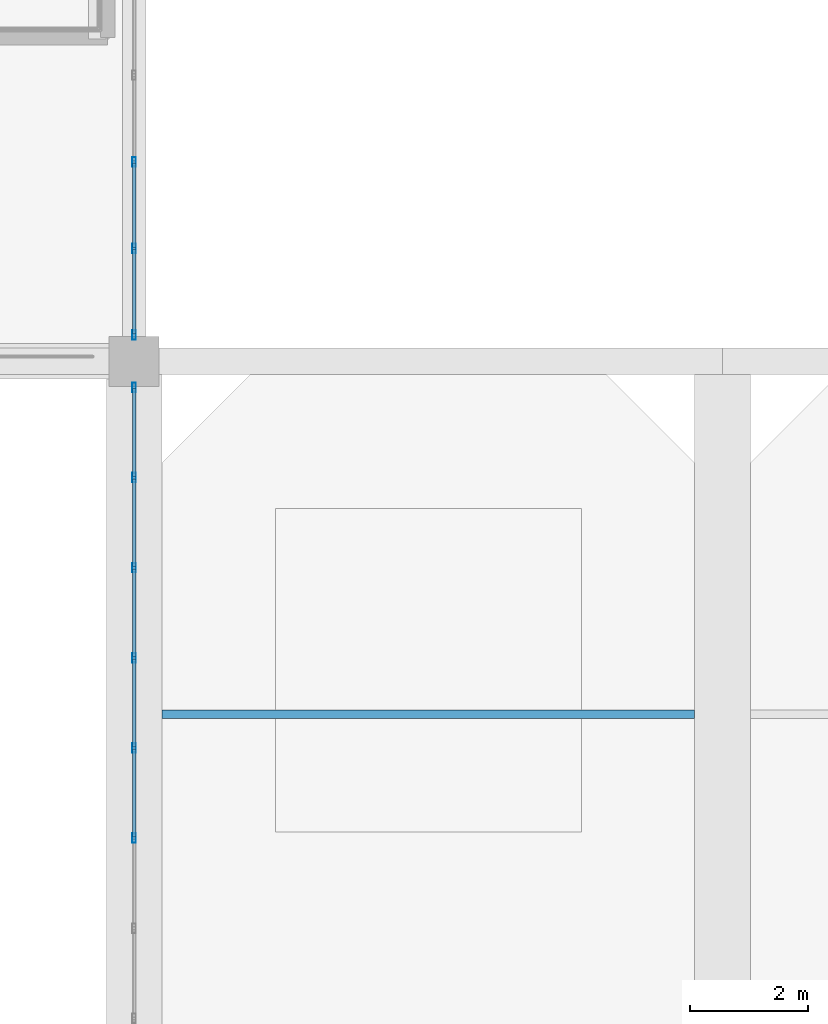
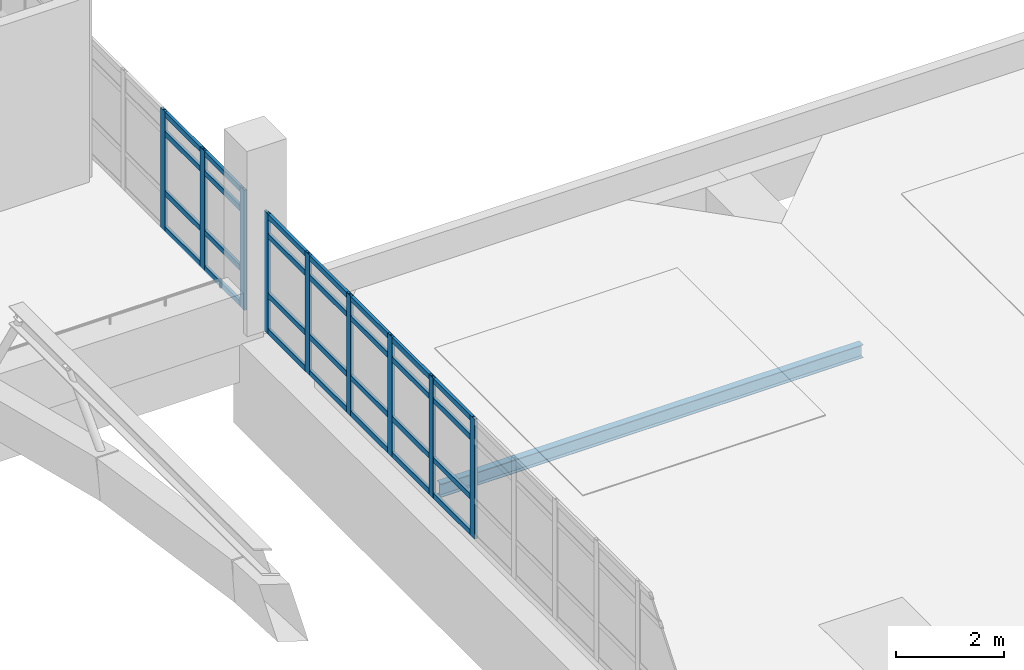
# One storey, part 57 of 161: 37 members, 1 beam, 2 elements without a shape of their own.
"""IFC4 building model written with IfcOpenShell, lengths in metres."""

from ifc_helpers import new_model, si_unit, direction, frame, origin, origin_2d, place, context, subcontext, project, spatial, hollow_rectangle, i_section, extrude, material, layer, layer_set, material_profile, profile_set, type_object, element, aggregate, save


model = new_model("IFC4")

# Units and contexts
model_context = context("Model", 3, precision=1e-05, world=origin(), true_north=direction((0.0, 1.0)))
body_context = subcontext(model_context, "Body", "Model", "MODEL_VIEW")
ifc_project = project(units=[si_unit("LENGTHUNIT", "METRE"), si_unit("AREAUNIT", "SQUARE_METRE"), si_unit("VOLUMEUNIT", "CUBIC_METRE"), si_unit("PLANEANGLEUNIT", "RADIAN"), si_unit("MASSUNIT", "GRAM", prefix="KILO")], contexts=[model_context])

# Site, building, storey
site_placement = place(None, origin())
site = spatial("IfcSite", under=ifc_project, at=site_placement, CompositionType="ELEMENT")
building_placement = place(site_placement, origin())
building = spatial("IfcBuilding", under=site, at=building_placement, Name="Mersad Railyard Sports Hall", CompositionType="ELEMENT")
storey_placement = place(building_placement, frame((0.0, 0.0, 4.800048828125)))
storey = spatial("IfcBuildingStorey", under=building, at=storey_placement, Name="L01", CompositionType="ELEMENT", Elevation=4.800048828125)

# Curtain wall, members
ifc_material_1 = material(Name="Aluminium 6063-T6", Category="aluminium")
ifc_layer_1 = layer(ifc_material_1, 0.159912109375)
ifc_layer_set_1 = layer_set([ifc_layer_1], Name="Aluminium 6063-T6")
curtain_wall_type_1 = type_object("IfcCurtainWallType", Name="ARC-CW-CW05", PredefinedType="USERDEFINED", material=ifc_layer_set_1)
curtain_wall_1_placement = place(storey_placement, origin())
curtain_wall_1 = element("IfcCurtainWall", 1, at=curtain_wall_1_placement, inside=storey, type_object=curtain_wall_type_1, Name="Curtain wall CW05-0027", ObjectType="CURTAIN WALL", PredefinedType="USERDEFINED")
ifc_material_profile_1 = material_profile(ifc_material_1, hollow_rectangle(XDim=0.06005859375, YDim=0.159912109375, WallThickness=0.00390625, at=origin_2d()), Name="AL MULLION 60x160x4")
ifc_profile_set_1 = profile_set([ifc_material_profile_1], Name="Aluminium 6063-T6")
member_type_1 = type_object("IfcMemberType", Name="ARC-CW-MUL01", PredefinedType="MULLION", material=ifc_profile_set_1)
member_1_placement = place(storey_placement, frame((91.0, 43.054931640625, -0.02001953125), z_axis=(0.0, 0.0, 1.0), x_axis=(1.0, 0.0, 0.0)))
member_1 = element("IfcMember", 2, at=member_1_placement, type_object=member_type_1, Name="CW05 Mullion 1", PredefinedType="MULLION", context=body_context, shape_type="SweptSolid", body=[
    extrude(hollow_rectangle(XDim=0.06005859375, YDim=0.159912109375, WallThickness=0.00390625, at=origin_2d()), origin(), (0.0, 0.0, 1.0), 2.719970703125),
])
member_2_placement = place(storey_placement, frame((91.0, 41.52294921875, -0.02001953125), z_axis=(0.0, 0.0, 1.0), x_axis=(1.0, 0.0, 0.0)))
member_2 = element("IfcMember", 3, at=member_2_placement, type_object=member_type_1, Name="CW05 Mullion 2", PredefinedType="MULLION", context=body_context, shape_type="SweptSolid", body=[
    extrude(hollow_rectangle(XDim=0.06005859375, YDim=0.159912109375, WallThickness=0.00390625, at=origin_2d()), origin(), (0.0, 0.0, 1.0), 2.719970703125),
])
member_3_placement = place(storey_placement, frame((91.0, 39.99072265625, -0.02001953125), z_axis=(0.0, 0.0, 1.0), x_axis=(1.0, 0.0, 0.0)))
member_3 = element("IfcMember", 4, at=member_3_placement, type_object=member_type_1, Name="CW05 Mullion 3", PredefinedType="MULLION", context=body_context, shape_type="SweptSolid", body=[
    extrude(hollow_rectangle(XDim=0.06005859375, YDim=0.159912109375, WallThickness=0.00390625, at=origin_2d()), origin(), (0.0, 0.0, 1.0), 2.719970703125),
])
member_4_placement = place(storey_placement, frame((91.0, 38.458740234375, -0.02001953125), z_axis=(0.0, 0.0, 1.0), x_axis=(1.0, 0.0, 0.0)))
member_4 = element("IfcMember", 5, at=member_4_placement, type_object=member_type_1, Name="CW05 Mullion 4", PredefinedType="MULLION", context=body_context, shape_type="SweptSolid", body=[
    extrude(hollow_rectangle(XDim=0.06005859375, YDim=0.159912109375, WallThickness=0.00390625, at=origin_2d()), origin(), (0.0, 0.0, 1.0), 2.719970703125),
])
member_5_placement = place(storey_placement, frame((91.0, 36.926513671875, -0.02001953125), z_axis=(0.0, 0.0, 1.0), x_axis=(1.0, 0.0, 0.0)))
member_5 = element("IfcMember", 6, at=member_5_placement, type_object=member_type_1, Name="CW05 Mullion 5", PredefinedType="MULLION", context=body_context, shape_type="SweptSolid", body=[
    extrude(hollow_rectangle(XDim=0.06005859375, YDim=0.159912109375, WallThickness=0.00390625, at=origin_2d()), origin(), (0.0, 0.0, 1.0), 2.719970703125),
])
member_6_placement = place(storey_placement, frame((91.0, 35.39453125, -0.02001953125), z_axis=(0.0, 0.0, 1.0), x_axis=(1.0, 0.0, 0.0)))
member_6 = element("IfcMember", 7, at=member_6_placement, type_object=member_type_1, Name="CW05 Mullion 6", PredefinedType="MULLION", context=body_context, shape_type="SweptSolid", body=[
    extrude(hollow_rectangle(XDim=0.06005859375, YDim=0.159912109375, WallThickness=0.00390625, at=origin_2d()), origin(), (0.0, 0.0, 1.0), 2.719970703125),
])

ifc_layer_2 = layer(ifc_material_1, 0.159912109375)
ifc_layer_set_2 = layer_set([ifc_layer_2], Name="Aluminium 6063-T6")
curtain_wall_type_2 = type_object("IfcCurtainWallType", Name="ARC-CW-CW03", PredefinedType="USERDEFINED", material=ifc_layer_set_2)
curtain_wall_2_placement = place(storey_placement, origin())
curtain_wall_2 = element("IfcCurtainWall", 8, at=curtain_wall_2_placement, inside=storey, type_object=curtain_wall_type_2, Name="Curtain wall CW03-0028", ObjectType="CURTAIN WALL", PredefinedType="USERDEFINED")
member_7_placement = place(storey_placement, frame((91.0, 46.889892578125, -0.02001953125), z_axis=(0.0, 0.0, 1.0), x_axis=(1.0, 0.0, 0.0)))
member_7 = element("IfcMember", 9, at=member_7_placement, type_object=member_type_1, Name="CW03 Mullion 5", PredefinedType="MULLION", context=body_context, shape_type="SweptSolid", body=[
    extrude(hollow_rectangle(XDim=0.06005859375, YDim=0.159912109375, WallThickness=0.00390625, at=origin_2d()), origin(), (0.0, 0.0, 1.0), 2.719970703125),
])
member_8_placement = place(storey_placement, frame((91.0, 45.41748046875, -0.02001953125), z_axis=(0.0, 0.0, 1.0), x_axis=(1.0, 0.0, 0.0)))
member_8 = element("IfcMember", 10, at=member_8_placement, type_object=member_type_1, Name="CW03 Mullion 6", PredefinedType="MULLION", context=body_context, shape_type="SweptSolid", body=[
    extrude(hollow_rectangle(XDim=0.06005859375, YDim=0.159912109375, WallThickness=0.00390625, at=origin_2d()), origin(), (0.0, 0.0, 1.0), 2.719970703125),
])
member_9_placement = place(storey_placement, frame((91.0, 43.945068359375, -0.02001953125), z_axis=(0.0, 0.0, 1.0), x_axis=(1.0, 0.0, 0.0)))
member_9 = element("IfcMember", 11, at=member_9_placement, type_object=member_type_1, Name="CW03 Mullion 7", PredefinedType="MULLION", context=body_context, shape_type="SweptSolid", body=[
    extrude(hollow_rectangle(XDim=0.06005859375, YDim=0.159912109375, WallThickness=0.00390625, at=origin_2d()), origin(), (0.0, 0.0, 1.0), 2.719970703125),
])

# Member
ifc_material_profile_2 = material_profile(ifc_material_1, hollow_rectangle(XDim=0.06005859375, YDim=0.1201171875, WallThickness=0.00390625, at=origin_2d()), Name="AL TRANSOM 60x120x4")
ifc_profile_set_2 = profile_set([ifc_material_profile_2], Name="Aluminium 6063-T6")
member_type_2 = type_object("IfcMemberType", Name="ARC-CW-TRN01", PredefinedType="USERDEFINED", material=ifc_profile_set_2)
member_10_placement = place(storey_placement, frame((91.0, 43.034912109375, 0.0400390625), z_axis=(0.0, -1.0, 0.0), x_axis=(1.0, 0.0, 0.0)))
member_10 = element("IfcMember", 12, at=member_10_placement, type_object=member_type_2, Name="CW05 Transom 1-1", ObjectType="TRANSOM", PredefinedType="USERDEFINED", context=body_context, shape_type="SweptSolid", body=[
    extrude(hollow_rectangle(XDim=0.06005859375, YDim=0.1201171875, WallThickness=0.00390625, at=origin_2d()), origin(), (0.0, 0.0, 1.0), 1.491943359375),
])

member_11_placement = place(storey_placement, frame((91.0, 41.5029296875, 0.0400390625), z_axis=(0.0, -1.0, 0.0), x_axis=(1.0, 0.0, 0.0)))
member_11 = element("IfcMember", 13, at=member_11_placement, type_object=member_type_2, Name="CW05 Transom 1-2", ObjectType="TRANSOM", PredefinedType="USERDEFINED", context=body_context, shape_type="SweptSolid", body=[
    extrude(hollow_rectangle(XDim=0.06005859375, YDim=0.1201171875, WallThickness=0.00390625, at=origin_2d()), origin(), (0.0, 0.0, 1.0), 1.4921875),
])

member_12_placement = place(storey_placement, frame((91.0, 39.970703125, 0.0400390625), z_axis=(0.0, -1.0, 0.0), x_axis=(1.0, 0.0, 0.0)))
member_12 = element("IfcMember", 14, at=member_12_placement, type_object=member_type_2, Name="CW05 Transom 1-3", ObjectType="TRANSOM", PredefinedType="USERDEFINED", context=body_context, shape_type="SweptSolid", body=[
    extrude(hollow_rectangle(XDim=0.06005859375, YDim=0.1201171875, WallThickness=0.00390625, at=origin_2d()), origin(), (0.0, 0.0, 1.0), 1.491943359375),
])

member_13_placement = place(storey_placement, frame((91.0, 38.438720703125, 0.0400390625), z_axis=(0.0, -1.0, 0.0), x_axis=(1.0, 0.0, 0.0)))
member_13 = element("IfcMember", 15, at=member_13_placement, type_object=member_type_2, Name="CW05 Transom 1-4", ObjectType="TRANSOM", PredefinedType="USERDEFINED", context=body_context, shape_type="SweptSolid", body=[
    extrude(hollow_rectangle(XDim=0.06005859375, YDim=0.1201171875, WallThickness=0.00390625, at=origin_2d()), origin(), (0.0, 0.0, 1.0), 1.4921875),
])

member_14_placement = place(storey_placement, frame((91.0, 36.906494140625, 0.0400390625), z_axis=(0.0, -1.0, 0.0), x_axis=(1.0, 0.0, 0.0)))
member_14 = element("IfcMember", 16, at=member_14_placement, type_object=member_type_2, Name="CW05 Transom 1-5", ObjectType="TRANSOM", PredefinedType="USERDEFINED", context=body_context, shape_type="SweptSolid", body=[
    extrude(hollow_rectangle(XDim=0.06005859375, YDim=0.1201171875, WallThickness=0.00390625, at=origin_2d()), origin(), (0.0, 0.0, 1.0), 1.491943359375),
])

member_15_placement = place(storey_placement, frame((91.0, 43.034912109375, 0.849853515625), z_axis=(0.0, -1.0, 0.0), x_axis=(1.0, 0.0, 0.0)))
member_15 = element("IfcMember", 17, at=member_15_placement, type_object=member_type_2, Name="CW05 Transom 2-1", ObjectType="TRANSOM", PredefinedType="USERDEFINED", context=body_context, shape_type="SweptSolid", body=[
    extrude(hollow_rectangle(XDim=0.06005859375, YDim=0.1201171875, WallThickness=0.00390625, at=origin_2d()), origin(), (0.0, 0.0, 1.0), 1.491943359375),
])

member_16_placement = place(storey_placement, frame((91.0, 41.5029296875, 0.849853515625), z_axis=(0.0, -1.0, 0.0), x_axis=(1.0, 0.0, 0.0)))
member_16 = element("IfcMember", 18, at=member_16_placement, type_object=member_type_2, Name="CW05 Transom 2-2", ObjectType="TRANSOM", PredefinedType="USERDEFINED", context=body_context, shape_type="SweptSolid", body=[
    extrude(hollow_rectangle(XDim=0.06005859375, YDim=0.1201171875, WallThickness=0.00390625, at=origin_2d()), origin(), (0.0, 0.0, 1.0), 1.4921875),
])

member_17_placement = place(storey_placement, frame((91.0, 39.970703125, 0.849853515625), z_axis=(0.0, -1.0, 0.0), x_axis=(1.0, 0.0, 0.0)))
member_17 = element("IfcMember", 19, at=member_17_placement, type_object=member_type_2, Name="CW05 Transom 2-3", ObjectType="TRANSOM", PredefinedType="USERDEFINED", context=body_context, shape_type="SweptSolid", body=[
    extrude(hollow_rectangle(XDim=0.06005859375, YDim=0.1201171875, WallThickness=0.00390625, at=origin_2d()), origin(), (0.0, 0.0, 1.0), 1.491943359375),
])

member_18_placement = place(storey_placement, frame((91.0, 38.438720703125, 0.849853515625), z_axis=(0.0, -1.0, 0.0), x_axis=(1.0, 0.0, 0.0)))
member_18 = element("IfcMember", 20, at=member_18_placement, type_object=member_type_2, Name="CW05 Transom 2-4", ObjectType="TRANSOM", PredefinedType="USERDEFINED", context=body_context, shape_type="SweptSolid", body=[
    extrude(hollow_rectangle(XDim=0.06005859375, YDim=0.1201171875, WallThickness=0.00390625, at=origin_2d()), origin(), (0.0, 0.0, 1.0), 1.4921875),
])

member_19_placement = place(storey_placement, frame((91.0, 36.906494140625, 0.849853515625), z_axis=(0.0, -1.0, 0.0), x_axis=(1.0, 0.0, 0.0)))
member_19 = element("IfcMember", 21, at=member_19_placement, type_object=member_type_2, Name="CW05 Transom 2-5", ObjectType="TRANSOM", PredefinedType="USERDEFINED", context=body_context, shape_type="SweptSolid", body=[
    extrude(hollow_rectangle(XDim=0.06005859375, YDim=0.1201171875, WallThickness=0.00390625, at=origin_2d()), origin(), (0.0, 0.0, 1.0), 1.491943359375),
])

member_20_placement = place(storey_placement, frame((91.0, 43.034912109375, 2.199951171875), z_axis=(0.0, -1.0, 0.0), x_axis=(1.0, 0.0, 0.0)))
member_20 = element("IfcMember", 22, at=member_20_placement, type_object=member_type_2, Name="CW05 Transom 3-1", ObjectType="TRANSOM", PredefinedType="USERDEFINED", context=body_context, shape_type="SweptSolid", body=[
    extrude(hollow_rectangle(XDim=0.06005859375, YDim=0.1201171875, WallThickness=0.00390625, at=origin_2d()), origin(), (0.0, 0.0, 1.0), 1.491943359375),
])

member_21_placement = place(storey_placement, frame((91.0, 41.5029296875, 2.199951171875), z_axis=(0.0, -1.0, 0.0), x_axis=(1.0, 0.0, 0.0)))
member_21 = element("IfcMember", 23, at=member_21_placement, type_object=member_type_2, Name="CW05 Transom 3-2", ObjectType="TRANSOM", PredefinedType="USERDEFINED", context=body_context, shape_type="SweptSolid", body=[
    extrude(hollow_rectangle(XDim=0.06005859375, YDim=0.1201171875, WallThickness=0.00390625, at=origin_2d()), origin(), (0.0, 0.0, 1.0), 1.4921875),
])

member_22_placement = place(storey_placement, frame((91.0, 39.970703125, 2.199951171875), z_axis=(0.0, -1.0, 0.0), x_axis=(1.0, 0.0, 0.0)))
member_22 = element("IfcMember", 24, at=member_22_placement, type_object=member_type_2, Name="CW05 Transom 3-3", ObjectType="TRANSOM", PredefinedType="USERDEFINED", context=body_context, shape_type="SweptSolid", body=[
    extrude(hollow_rectangle(XDim=0.06005859375, YDim=0.1201171875, WallThickness=0.00390625, at=origin_2d()), origin(), (0.0, 0.0, 1.0), 1.491943359375),
])

member_23_placement = place(storey_placement, frame((91.0, 38.438720703125, 2.199951171875), z_axis=(0.0, -1.0, 0.0), x_axis=(1.0, 0.0, 0.0)))
member_23 = element("IfcMember", 25, at=member_23_placement, type_object=member_type_2, Name="CW05 Transom 3-4", ObjectType="TRANSOM", PredefinedType="USERDEFINED", context=body_context, shape_type="SweptSolid", body=[
    extrude(hollow_rectangle(XDim=0.06005859375, YDim=0.1201171875, WallThickness=0.00390625, at=origin_2d()), origin(), (0.0, 0.0, 1.0), 1.4921875),
])

member_24_placement = place(storey_placement, frame((91.0, 36.906494140625, 2.199951171875), z_axis=(0.0, -1.0, 0.0), x_axis=(1.0, 0.0, 0.0)))
member_24 = element("IfcMember", 26, at=member_24_placement, type_object=member_type_2, Name="CW05 Transom 3-5", ObjectType="TRANSOM", PredefinedType="USERDEFINED", context=body_context, shape_type="SweptSolid", body=[
    extrude(hollow_rectangle(XDim=0.06005859375, YDim=0.1201171875, WallThickness=0.00390625, at=origin_2d()), origin(), (0.0, 0.0, 1.0), 1.491943359375),
])

member_25_placement = place(storey_placement, frame((91.0, 43.034912109375, 2.639892578125), z_axis=(0.0, -1.0, 0.0), x_axis=(1.0, 0.0, 0.0)))
member_25 = element("IfcMember", 27, at=member_25_placement, type_object=member_type_2, Name="CW05 Transom 4-1", ObjectType="TRANSOM", PredefinedType="USERDEFINED", context=body_context, shape_type="SweptSolid", body=[
    extrude(hollow_rectangle(XDim=0.06005859375, YDim=0.1201171875, WallThickness=0.00390625, at=origin_2d()), origin(), (0.0, 0.0, 1.0), 1.491943359375),
])

member_26_placement = place(storey_placement, frame((91.0, 41.5029296875, 2.639892578125), z_axis=(0.0, -1.0, 0.0), x_axis=(1.0, 0.0, 0.0)))
member_26 = element("IfcMember", 28, at=member_26_placement, type_object=member_type_2, Name="CW05 Transom 4-2", ObjectType="TRANSOM", PredefinedType="USERDEFINED", context=body_context, shape_type="SweptSolid", body=[
    extrude(hollow_rectangle(XDim=0.06005859375, YDim=0.1201171875, WallThickness=0.00390625, at=origin_2d()), origin(), (0.0, 0.0, 1.0), 1.4921875),
])

member_27_placement = place(storey_placement, frame((91.0, 39.970703125, 2.639892578125), z_axis=(0.0, -1.0, 0.0), x_axis=(1.0, 0.0, 0.0)))
member_27 = element("IfcMember", 29, at=member_27_placement, type_object=member_type_2, Name="CW05 Transom 4-3", ObjectType="TRANSOM", PredefinedType="USERDEFINED", context=body_context, shape_type="SweptSolid", body=[
    extrude(hollow_rectangle(XDim=0.06005859375, YDim=0.1201171875, WallThickness=0.00390625, at=origin_2d()), origin(), (0.0, 0.0, 1.0), 1.491943359375),
])

member_28_placement = place(storey_placement, frame((91.0, 38.438720703125, 2.639892578125), z_axis=(0.0, -1.0, 0.0), x_axis=(1.0, 0.0, 0.0)))
member_28 = element("IfcMember", 30, at=member_28_placement, type_object=member_type_2, Name="CW05 Transom 4-4", ObjectType="TRANSOM", PredefinedType="USERDEFINED", context=body_context, shape_type="SweptSolid", body=[
    extrude(hollow_rectangle(XDim=0.06005859375, YDim=0.1201171875, WallThickness=0.00390625, at=origin_2d()), origin(), (0.0, 0.0, 1.0), 1.4921875),
])

member_29_placement = place(storey_placement, frame((91.0, 36.906494140625, 2.639892578125), z_axis=(0.0, -1.0, 0.0), x_axis=(1.0, 0.0, 0.0)))
member_29 = element("IfcMember", 31, at=member_29_placement, type_object=member_type_2, Name="CW05 Transom 4-5", ObjectType="TRANSOM", PredefinedType="USERDEFINED", context=body_context, shape_type="SweptSolid", body=[
    extrude(hollow_rectangle(XDim=0.06005859375, YDim=0.1201171875, WallThickness=0.00390625, at=origin_2d()), origin(), (0.0, 0.0, 1.0), 1.491943359375),
])

aggregate(curtain_wall_1, [member_1, member_2, member_3, member_4, member_5, member_6, member_10, member_11, member_12, member_13, member_14, member_15, member_16, member_17, member_18, member_19, member_20, member_21, member_22, member_23, member_24, member_25, member_26, member_27, member_28, member_29])

member_30_placement = place(storey_placement, frame((91.0, 46.8701171875, 0.0400390625), z_axis=(0.0, -1.0, 0.0), x_axis=(1.0, 0.0, 0.0)))
member_30 = element("IfcMember", 32, at=member_30_placement, type_object=member_type_2, Name="CW03 Transom 1-5", ObjectType="TRANSOM", PredefinedType="USERDEFINED", context=body_context, shape_type="SweptSolid", body=[
    extrude(hollow_rectangle(XDim=0.06005859375, YDim=0.1201171875, WallThickness=0.00390625, at=origin_2d()), origin(), (0.0, 0.0, 1.0), 1.4326171875),
])

member_31_placement = place(storey_placement, frame((91.0, 45.3974609375, 0.0400390625), z_axis=(0.0, -1.0, 0.0), x_axis=(1.0, 0.0, 0.0)))
member_31 = element("IfcMember", 33, at=member_31_placement, type_object=member_type_2, Name="CW03 Transom 1-6", ObjectType="TRANSOM", PredefinedType="USERDEFINED", context=body_context, shape_type="SweptSolid", body=[
    extrude(hollow_rectangle(XDim=0.06005859375, YDim=0.1201171875, WallThickness=0.00390625, at=origin_2d()), origin(), (0.0, 0.0, 1.0), 1.432373046875),
])

member_32_placement = place(storey_placement, frame((91.0, 46.8701171875, 0.849853515625), z_axis=(0.0, -1.0, 0.0), x_axis=(1.0, 0.0, 0.0)))
member_32 = element("IfcMember", 34, at=member_32_placement, type_object=member_type_2, Name="CW03 Transom 2-5", ObjectType="TRANSOM", PredefinedType="USERDEFINED", context=body_context, shape_type="SweptSolid", body=[
    extrude(hollow_rectangle(XDim=0.06005859375, YDim=0.1201171875, WallThickness=0.00390625, at=origin_2d()), origin(), (0.0, 0.0, 1.0), 1.4326171875),
])

member_33_placement = place(storey_placement, frame((91.0, 45.3974609375, 0.849853515625), z_axis=(0.0, -1.0, 0.0), x_axis=(1.0, 0.0, 0.0)))
member_33 = element("IfcMember", 35, at=member_33_placement, type_object=member_type_2, Name="CW03 Transom 2-6", ObjectType="TRANSOM", PredefinedType="USERDEFINED", context=body_context, shape_type="SweptSolid", body=[
    extrude(hollow_rectangle(XDim=0.06005859375, YDim=0.1201171875, WallThickness=0.00390625, at=origin_2d()), origin(), (0.0, 0.0, 1.0), 1.432373046875),
])

member_34_placement = place(storey_placement, frame((91.0, 46.8701171875, 2.199951171875), z_axis=(0.0, -1.0, 0.0), x_axis=(1.0, 0.0, 0.0)))
member_34 = element("IfcMember", 36, at=member_34_placement, type_object=member_type_2, Name="CW03 Transom 3-5", ObjectType="TRANSOM", PredefinedType="USERDEFINED", context=body_context, shape_type="SweptSolid", body=[
    extrude(hollow_rectangle(XDim=0.06005859375, YDim=0.1201171875, WallThickness=0.00390625, at=origin_2d()), origin(), (0.0, 0.0, 1.0), 1.4326171875),
])

member_35_placement = place(storey_placement, frame((91.0, 45.3974609375, 2.199951171875), z_axis=(0.0, -1.0, 0.0), x_axis=(1.0, 0.0, 0.0)))
member_35 = element("IfcMember", 37, at=member_35_placement, type_object=member_type_2, Name="CW03 Transom 3-6", ObjectType="TRANSOM", PredefinedType="USERDEFINED", context=body_context, shape_type="SweptSolid", body=[
    extrude(hollow_rectangle(XDim=0.06005859375, YDim=0.1201171875, WallThickness=0.00390625, at=origin_2d()), origin(), (0.0, 0.0, 1.0), 1.432373046875),
])

member_36_placement = place(storey_placement, frame((91.0, 46.8701171875, 2.639892578125), z_axis=(0.0, -1.0, 0.0), x_axis=(1.0, 0.0, 0.0)))
member_36 = element("IfcMember", 38, at=member_36_placement, type_object=member_type_2, Name="CW03 Transom 4-5", ObjectType="TRANSOM", PredefinedType="USERDEFINED", context=body_context, shape_type="SweptSolid", body=[
    extrude(hollow_rectangle(XDim=0.06005859375, YDim=0.1201171875, WallThickness=0.00390625, at=origin_2d()), origin(), (0.0, 0.0, 1.0), 1.4326171875),
])

member_37_placement = place(storey_placement, frame((91.0, 45.3974609375, 2.639892578125), z_axis=(0.0, -1.0, 0.0), x_axis=(1.0, 0.0, 0.0)))
member_37 = element("IfcMember", 39, at=member_37_placement, type_object=member_type_2, Name="CW03 Transom 4-6", ObjectType="TRANSOM", PredefinedType="USERDEFINED", context=body_context, shape_type="SweptSolid", body=[
    extrude(hollow_rectangle(XDim=0.06005859375, YDim=0.1201171875, WallThickness=0.00390625, at=origin_2d()), origin(), (0.0, 0.0, 1.0), 1.432373046875),
])

aggregate(curtain_wall_2, [member_7, member_8, member_9, member_30, member_31, member_32, member_33, member_34, member_35, member_36, member_37])

# Beam
ifc_material_2 = material(Name="Steel S355", Category="steel")
ifc_material_profile_3 = material_profile(ifc_material_2, i_section(OverallWidth=0.14990234375, OverallDepth=0.300048828125, WebThickness=0.007080078125, FlangeThickness=0.0107421875, at=origin_2d()), Name="IPE 300")
ifc_profile_set_3 = profile_set([ifc_material_profile_3], Name="Steel S355")
beam_type = type_object("IfcBeamType", Name="STR-BM-J02", PredefinedType="JOIST", material=ifc_profile_set_3)
beam_placement = place(storey_placement, frame((91.47509765625, 37.5, -0.380126953125), z_axis=(1.0, 0.0, 0.0), x_axis=(0.0, 1.0, 0.0)))
element("IfcBeam", 40, at=beam_placement, inside=storey, type_object=beam_type, Name="Beam J02-0608", PredefinedType="JOIST", context=body_context, shape_type="SweptSolid", body=[
    extrude(i_section(OverallWidth=0.14990234375, OverallDepth=0.300048828125, WebThickness=0.007080078125, FlangeThickness=0.0107421875, at=origin_2d()), origin(), (0.0, 0.0, 1.0), 9.0498046875),
])

save(model, "model.ifc")
